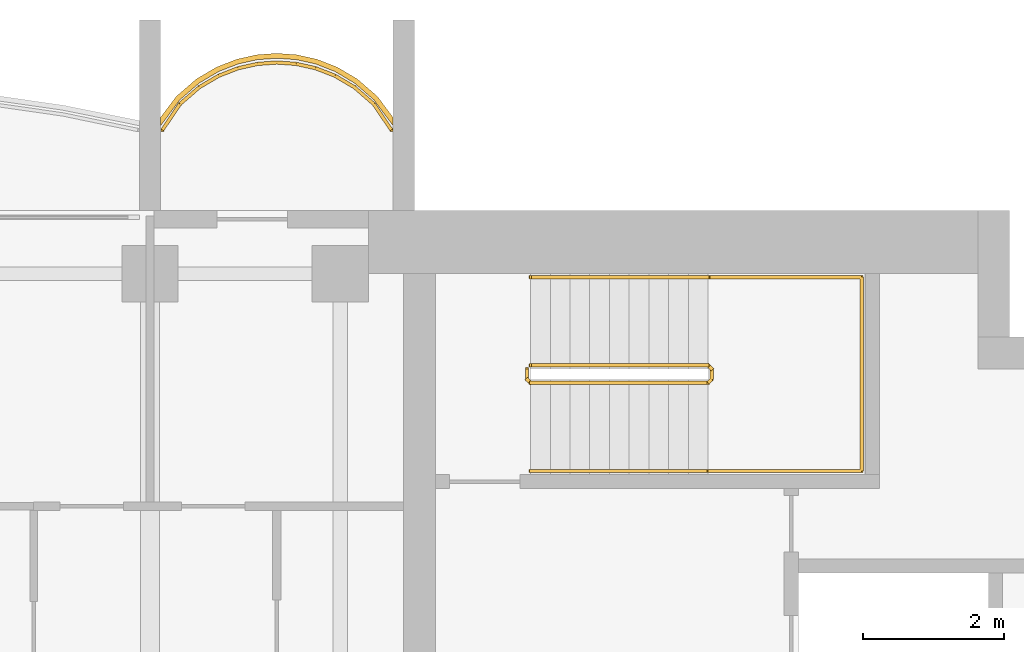
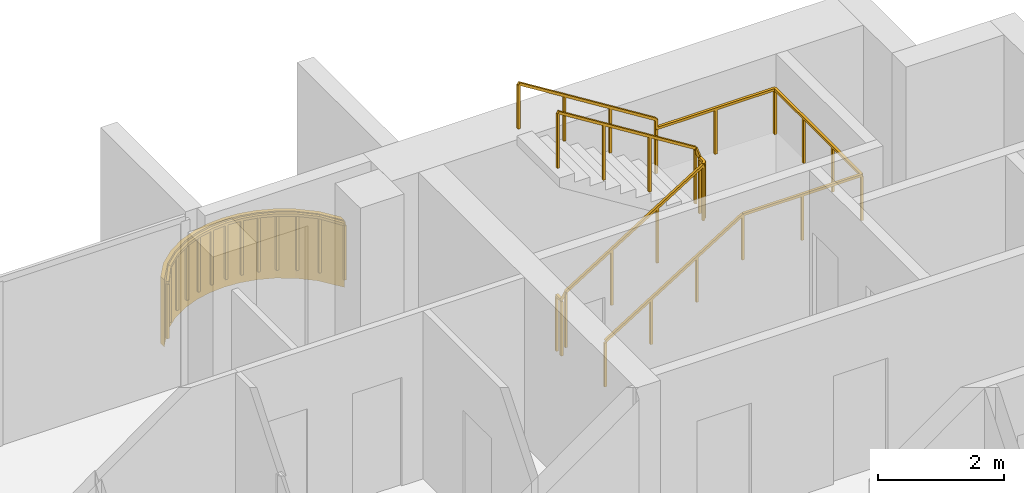
# One storey, part 16 of 16: 3 railings, 1 covering.
"""IFC4 building model written with IfcOpenShell, lengths in metres."""

from ifc_helpers import new_model, si_unit, direction, frame, origin, origin_2d, place, context, subcontext, project, spatial, polyline, rectangle, outline, extrude, material, layer, layer_set, type_object, element, save


model = new_model("IFC4")

# Units and contexts
model_context = context("Model", 3, precision=1e-05, world=origin(), true_north=direction((0.0, 1.0)))
body_context = subcontext(model_context, "Body", "Model", "MODEL_VIEW")
ifc_project = project(units=[si_unit("LENGTHUNIT", "METRE"), si_unit("AREAUNIT", "SQUARE_METRE"), si_unit("VOLUMEUNIT", "CUBIC_METRE"), si_unit("PLANEANGLEUNIT", "RADIAN"), si_unit("MASSUNIT", "GRAM", prefix="KILO")], contexts=[model_context])

# Site, building, storey
site_placement = place(None, origin())
site = spatial("IfcSite", under=ifc_project, at=site_placement, CompositionType="ELEMENT")
building_placement = place(site_placement, origin())
building = spatial("IfcBuilding", under=site, at=building_placement, Name="Perihelion Cross Residences", CompositionType="ELEMENT")
storey_placement = place(building_placement, frame((0.0, 0.0, 267.5)))
storey = spatial("IfcBuildingStorey", under=building, at=storey_placement, Name="L68", CompositionType="ELEMENT", Elevation=267.5)

# Covering
ifc_material_1 = material(Name="Bronze anodised aluminium", Category="aluminium")
ifc_layer = layer(ifc_material_1, 0.070068359375)
ifc_layer_set = layer_set([ifc_layer], Name="Balcony fascia 1300")
covering_type = type_object("IfcCoveringType", Name="Balcony fascia 1300", PredefinedType="CLADDING", material=ifc_layer_set)
covering_placement = place(storey_placement, frame((0.0, 0.0, -0.199951171875)))
element("IfcCovering", 1, at=covering_placement, inside=storey, type_object=covering_type, Name="Fascia BF1 L68 east side north bay 1", PredefinedType="CLADDING", context=body_context, shape_type="SweptSolid", body=[
    extrude(outline(polyline([(21.226318359375, 10.616455078125), (20.94091796875, 10.86328125), (20.655517578125, 11.031494140625), (20.370361328125, 11.142578125), (20.085205078125, 11.206298828125), (19.800048828125, 11.22705078125), (19.514892578125, 11.206298828125), (19.229736328125, 11.142578125), (18.9443359375, 11.031494140625), (18.6591796875, 10.86328125), (18.373779296875, 10.616455078125), (18.14990234375, 10.31689453125), (18.14990234375, 10.199951171875), (18.425048828125, 10.568603515625), (18.699951171875, 10.806396484375), (18.97509765625, 10.96875), (19.25, 11.07568359375), (19.52490234375, 11.136962890625), (19.800048828125, 11.156982421875), (20.074951171875, 11.136962890625), (20.35009765625, 11.07568359375), (20.625, 10.96875), (20.89990234375, 10.806396484375), (21.175048828125, 10.568603515625), (21.449951171875, 10.199951171875), (21.449951171875, 10.31689453125), (21.226318359375, 10.616455078125)])), origin(), (0.0, 0.0, 1.0), 1.300048828125),
])

# Railings
ifc_material_2 = material(Name="Bronze anodised aluminium", Category="aluminium")
railing_type_1 = type_object("IfcRailingType", Name="Balcony guard 1100", PredefinedType="GUARDRAIL", material=ifc_material_2)
railing_1_placement = place(storey_placement, frame((21.425048828125, 10.139892578125, 0.0)))
element("IfcRailing", 2, at=railing_1_placement, inside=storey, type_object=railing_type_1, Name="Guard GU1 L68 east side north bay 1 balcony", PredefinedType="GUARDRAIL", context=body_context, shape_type="SweptSolid", body=[
    extrude(rectangle(XDim=0.048095703125, YDim=0.048095703125, at=origin_2d()), frame((0.0, 0.0, 1.076171875), z_axis=(-0.561260132269, 0.827639452857, 0.0), x_axis=(-0.827639452857, -0.561260132269, 0.0)), (0.0, 0.0, 1.0), 0.4453125),
    extrude(rectangle(XDim=0.048095703125, YDim=0.048095703125, at=origin_2d()), frame((-0.25, 0.36865234375, 1.076171875), z_axis=(-0.756596535164, 0.653882009982, 0.0), x_axis=(-0.653882009982, -0.756596535164, 0.0)), (0.0, 0.0, 1.0), 0.36376953125),
    extrude(rectangle(XDim=0.048095703125, YDim=0.048095703125, at=origin_2d()), frame((-0.525146484375, 0.6064453125, 1.076171875), z_axis=(-0.861048292884, 0.508523192511, 0.0), x_axis=(-0.508523192511, -0.861048292884, 0.0)), (0.0, 0.0, 1.0), 0.3193359375),
    extrude(rectangle(XDim=0.048095703125, YDim=0.048095703125, at=origin_2d()), frame((-0.800048828125, 0.768798828125, 1.076171875), z_axis=(-0.931973602183, 0.362526143656, 0.0), x_axis=(-0.362526143656, -0.931973602183, 0.0)), (0.0, 0.0, 1.0), 0.294921875),
    extrude(rectangle(XDim=0.048095703125, YDim=0.048095703125, at=origin_2d()), frame((-1.074951171875, 0.875732421875, 1.076171875), z_axis=(-0.976085059389, 0.21738895289, 0.0), x_axis=(-0.21738895289, -0.976085059389, 0.0)), (0.0, 0.0, 1.0), 0.281982421875),
    extrude(rectangle(XDim=0.048095703125, YDim=0.048095703125, at=origin_2d()), frame((-1.35009765625, 0.93701171875, 1.076171875), z_axis=(-0.997358821833, 0.072631814734, 0.0), x_axis=(-0.072631814734, -0.997358821833, 0.0)), (0.0, 0.0, 1.0), 0.275634765625),
    extrude(rectangle(XDim=0.048095703125, YDim=0.048095703125, at=origin_2d()), frame((-1.625, 0.95703125, 1.076171875), z_axis=(-0.997363488337, -0.072567707226, 0.0), x_axis=(0.072567707226, -0.997363488337, 0.0)), (0.0, 0.0, 1.0), 0.27587890625),
    extrude(rectangle(XDim=0.048095703125, YDim=0.048095703125, at=origin_2d()), frame((-1.900146484375, 0.93701171875, 1.076171875), z_axis=(-0.976044077717, -0.217572880557, 0.0), x_axis=(0.217572880557, -0.976044077717, 0.0)), (0.0, 0.0, 1.0), 0.28173828125),
    extrude(rectangle(XDim=0.048095703125, YDim=0.048095703125, at=origin_2d()), frame((-2.175048828125, 0.875732421875, 1.076171875), z_axis=(-0.931973602183, -0.362526143656, 0.0), x_axis=(0.362526143656, -0.931973602183, 0.0)), (0.0, 0.0, 1.0), 0.294921875),
    extrude(rectangle(XDim=0.048095703125, YDim=0.048095703125, at=origin_2d()), frame((-2.449951171875, 0.768798828125, 1.076171875), z_axis=(-0.861245845072, -0.508188542123, 0.0), x_axis=(0.508188542123, -0.861245845072, 0.0)), (0.0, 0.0, 1.0), 0.319580078125),
    extrude(rectangle(XDim=0.048095703125, YDim=0.048095703125, at=origin_2d()), frame((-2.72509765625, 0.6064453125, 1.076171875), z_axis=(-0.756309278473, -0.654214242658, 0.0), x_axis=(0.654214242658, -0.756309278473, 0.0)), (0.0, 0.0, 1.0), 0.363525390625),
    extrude(rectangle(XDim=0.048095703125, YDim=0.048095703125, at=origin_2d()), frame((-3.0, 0.36865234375, 1.076171875), z_axis=(-0.561260132269, -0.827639452857, 0.0), x_axis=(0.827639452857, -0.561260132269, 0.0)), (0.0, 0.0, 1.0), 0.4453125),
    extrude(rectangle(XDim=0.0419921875, YDim=0.0419921875, at=origin_2d()), origin(), (0.0, 0.0, 1.0), 1.052001953125),
    extrude(rectangle(XDim=0.0419921875, YDim=0.0419921875, at=origin_2d()), frame((-0.25, 0.36865234375, 0.0)), (0.0, 0.0, 1.0), 1.052001953125),
    extrude(rectangle(XDim=0.0419921875, YDim=0.0419921875, at=origin_2d()), frame((-0.525146484375, 0.6064453125, 0.0)), (0.0, 0.0, 1.0), 1.052001953125),
    extrude(rectangle(XDim=0.0419921875, YDim=0.0419921875, at=origin_2d()), frame((-0.800048828125, 0.768798828125, 0.0)), (0.0, 0.0, 1.0), 1.052001953125),
    extrude(rectangle(XDim=0.0419921875, YDim=0.0419921875, at=origin_2d()), frame((-1.074951171875, 0.875732421875, 0.0)), (0.0, 0.0, 1.0), 1.052001953125),
    extrude(rectangle(XDim=0.0419921875, YDim=0.0419921875, at=origin_2d()), frame((-1.35009765625, 0.93701171875, 0.0)), (0.0, 0.0, 1.0), 1.052001953125),
    extrude(rectangle(XDim=0.0419921875, YDim=0.0419921875, at=origin_2d()), frame((-1.625, 0.95703125, 0.0)), (0.0, 0.0, 1.0), 1.052001953125),
    extrude(rectangle(XDim=0.0419921875, YDim=0.0419921875, at=origin_2d()), frame((-1.900146484375, 0.93701171875, 0.0)), (0.0, 0.0, 1.0), 1.052001953125),
    extrude(rectangle(XDim=0.0419921875, YDim=0.0419921875, at=origin_2d()), frame((-2.175048828125, 0.875732421875, 0.0)), (0.0, 0.0, 1.0), 1.052001953125),
    extrude(rectangle(XDim=0.0419921875, YDim=0.0419921875, at=origin_2d()), frame((-2.449951171875, 0.768798828125, 0.0)), (0.0, 0.0, 1.0), 1.052001953125),
    extrude(rectangle(XDim=0.0419921875, YDim=0.0419921875, at=origin_2d()), frame((-2.72509765625, 0.6064453125, 0.0)), (0.0, 0.0, 1.0), 1.052001953125),
    extrude(rectangle(XDim=0.0419921875, YDim=0.0419921875, at=origin_2d()), frame((-3.0, 0.36865234375, 0.0)), (0.0, 0.0, 1.0), 1.052001953125),
    extrude(rectangle(XDim=0.0419921875, YDim=0.0419921875, at=origin_2d()), frame((-3.25, 0.0, 0.0)), (0.0, 0.0, 1.0), 1.052001953125),
])
ifc_material_3 = material(Name="Stainless steel", Category="steel")
railing_type_2 = type_object("IfcRailingType", Name="Stair guard 1100", PredefinedType="GUARDRAIL", material=ifc_material_3)
railing_2_placement = place(storey_placement, frame((23.35009765625, 6.75, 0.0)))
element("IfcRailing", 3, at=railing_2_placement, inside=storey, type_object=railing_type_2, Name="L68 ST-E1 stair guard 1", PredefinedType="GUARDRAIL", context=body_context, shape_type="SweptSolid", body=[
    extrude(rectangle(XDim=0.048095703125, YDim=0.048095703125, at=origin_2d()), frame((0.0, 0.0, 1.076171875), z_axis=(0.0, -1.0, 0.0), x_axis=(1.0, 0.0, 0.0)), (0.0, 0.0, 1.0), 0.14990234375),
    extrude(rectangle(XDim=0.048095703125, YDim=0.048095703125, at=origin_2d()), frame((0.0, -0.14990234375, 1.076171875), z_axis=(0.263862480399, -0.265155923931, 0.927399011991), x_axis=(0.708833529934, 0.705375805398, 0.0)), (0.0, 0.0, 1.0), 0.188720703125),
    extrude(rectangle(XDim=0.048095703125, YDim=0.048095703125, at=origin_2d()), frame((0.0498046875, -0.199951171875, 1.2509765625), z_axis=(0.848007534815, 0.0, 0.529984170421), x_axis=(0.0, 1.0, 0.0)), (0.0, 0.0, 1.0), 2.9716796875),
    extrude(rectangle(XDim=0.048095703125, YDim=0.048095703125, at=origin_2d()), frame((2.56982421875, -0.199951171875, 2.826171875), z_axis=(0.707106781187, 0.707106781187, 0.0), x_axis=(-0.707106781187, 0.707106781187, 0.0)), (0.0, 0.0, 1.0), 0.07080078125),
    extrude(rectangle(XDim=0.048095703125, YDim=0.048095703125, at=origin_2d()), frame((2.619873046875, -0.14990234375, 2.826171875), z_axis=(0.0, 1.0, 0.0), x_axis=(-1.0, 0.0, 0.0)), (0.0, 0.0, 1.0), 0.14990234375),
    extrude(rectangle(XDim=0.048095703125, YDim=0.048095703125, at=origin_2d()), frame((2.619873046875, 0.0, 2.826171875), z_axis=(-0.265065253269, 0.265065253269, 0.927081885822), x_axis=(-0.707106781187, -0.707106781187, 0.0)), (0.0, 0.0, 1.0), 0.188720703125),
    extrude(rectangle(XDim=0.048095703125, YDim=0.048095703125, at=origin_2d()), frame((2.56982421875, 0.050048828125, 3.0009765625), z_axis=(-0.848007534815, 0.0, 0.529984170421), x_axis=(0.0, -1.0, 0.0)), (0.0, 0.0, 1.0), 2.9716796875),
    extrude(rectangle(XDim=0.0419921875, YDim=0.0419921875, at=origin_2d()), origin(), (0.0, 0.0, 1.0), 1.052001953125),
    extrude(rectangle(XDim=0.0419921875, YDim=0.0419921875, at=origin_2d()), frame((0.0, -0.14990234375, 0.0)), (0.0, 0.0, 1.0), 1.052001953125),
    extrude(rectangle(XDim=0.0419921875, YDim=0.0419921875, at=origin_2d()), frame((0.0498046875, -0.199951171875, 0.175048828125)), (0.0, 0.0, 1.0), 1.052001953125),
    extrude(rectangle(XDim=0.0419921875, YDim=0.0419921875, at=origin_2d()), frame((0.889892578125, -0.199951171875, 0.699951171875)), (0.0, 0.0, 1.0), 1.052001953125),
    extrude(rectangle(XDim=0.0419921875, YDim=0.0419921875, at=origin_2d()), frame((1.729736328125, -0.199951171875, 1.22509765625)), (0.0, 0.0, 1.0), 1.052001953125),
    extrude(rectangle(XDim=0.0419921875, YDim=0.0419921875, at=origin_2d()), frame((2.56982421875, -0.199951171875, 1.75)), (0.0, 0.0, 1.0), 1.052001953125),
    extrude(rectangle(XDim=0.0419921875, YDim=0.0419921875, at=origin_2d()), frame((2.619873046875, -0.14990234375, 1.75)), (0.0, 0.0, 1.0), 1.052001953125),
    extrude(rectangle(XDim=0.0419921875, YDim=0.0419921875, at=origin_2d()), frame((2.619873046875, 0.0, 1.75)), (0.0, 0.0, 1.0), 1.052001953125),
    extrude(rectangle(XDim=0.0419921875, YDim=0.0419921875, at=origin_2d()), frame((2.56982421875, 0.050048828125, 1.925048828125)), (0.0, 0.0, 1.0), 1.052001953125),
    extrude(rectangle(XDim=0.0419921875, YDim=0.0419921875, at=origin_2d()), frame((1.729736328125, 0.050048828125, 2.449951171875)), (0.0, 0.0, 1.0), 1.052001953125),
    extrude(rectangle(XDim=0.0419921875, YDim=0.0419921875, at=origin_2d()), frame((0.889892578125, 0.050048828125, 2.97509765625)), (0.0, 0.0, 1.0), 1.052001953125),
    extrude(rectangle(XDim=0.0419921875, YDim=0.0419921875, at=origin_2d()), frame((0.0498046875, 0.050048828125, 3.5)), (0.0, 0.0, 1.0), 1.052001953125),
])
ifc_material_4 = material(Name="Stainless steel", Category="steel")
railing_type_3 = type_object("IfcRailingType", Name="Stair handrail 900", PredefinedType="HANDRAIL", material=ifc_material_4)
railing_3_placement = place(storey_placement, frame((23.39990234375, 5.300048828125, 0.175048828125)))
element("IfcRailing", 4, at=railing_3_placement, inside=storey, type_object=railing_type_3, Name="L68 ST-E1 stair handrail 1", PredefinedType="HANDRAIL", context=body_context, shape_type="SweptSolid", body=[
    extrude(rectangle(XDim=0.048095703125, YDim=0.048095703125, at=origin_2d()), frame((0.0, 0.0, 0.8759765625), z_axis=(0.848007534815, 0.0, 0.529984170421), x_axis=(0.0, 1.0, 0.0)), (0.0, 0.0, 1.0), 2.9716796875),
    extrude(rectangle(XDim=0.048095703125, YDim=0.048095703125, at=origin_2d()), frame((2.52001953125, 0.0, 2.45068359375), z_axis=(1.0, 0.0, 0.0), x_axis=(0.0, 1.0, 0.0)), (0.0, 0.0, 1.0), 2.18017578125),
    extrude(rectangle(XDim=0.048095703125, YDim=0.048095703125, at=origin_2d()), frame((4.7001953125, 0.0, 2.45068359375), z_axis=(0.0, 1.0, 0.0), x_axis=(-1.0, 0.0, 0.0)), (0.0, 0.0, 1.0), 2.75),
    extrude(rectangle(XDim=0.048095703125, YDim=0.048095703125, at=origin_2d()), frame((4.7001953125, 2.75, 2.45068359375), z_axis=(-1.0, 0.0, 0.0), x_axis=(0.0, -1.0, 0.0)), (0.0, 0.0, 1.0), 2.18017578125),
    extrude(rectangle(XDim=0.048095703125, YDim=0.048095703125, at=origin_2d()), frame((2.52001953125, 2.75, 2.45068359375), z_axis=(0.0, 0.0, 1.0), x_axis=(1.0, 0.0, 0.0)), (0.0, 0.0, 1.0), 0.175048828125),
    extrude(rectangle(XDim=0.048095703125, YDim=0.048095703125, at=origin_2d()), frame((2.52001953125, 2.75, 2.6259765625), z_axis=(-0.848007534815, 0.0, 0.529984170421), x_axis=(0.0, -1.0, 0.0)), (0.0, 0.0, 1.0), 2.9716796875),
    extrude(rectangle(XDim=0.0419921875, YDim=0.0419921875, at=origin_2d()), origin(), (0.0, 0.0, 1.0), 0.851806640625),
    extrude(rectangle(XDim=0.0419921875, YDim=0.0419921875, at=origin_2d()), frame((0.840087890625, 0.0, 0.52490234375)), (0.0, 0.0, 1.0), 0.851806640625),
    extrude(rectangle(XDim=0.0419921875, YDim=0.0419921875, at=origin_2d()), frame((1.679931640625, 0.0, 1.050048828125)), (0.0, 0.0, 1.0), 0.851806640625),
    extrude(rectangle(XDim=0.0419921875, YDim=0.0419921875, at=origin_2d()), frame((2.52001953125, 0.0, 1.574951171875)), (0.0, 0.0, 1.0), 0.851806640625),
    extrude(rectangle(XDim=0.0419921875, YDim=0.0419921875, at=origin_2d()), frame((3.610107421875, 0.0, 1.574951171875)), (0.0, 0.0, 1.0), 0.851806640625),
    extrude(rectangle(XDim=0.0419921875, YDim=0.0419921875, at=origin_2d()), frame((4.7001953125, 0.0, 1.574951171875)), (0.0, 0.0, 1.0), 0.851806640625),
    extrude(rectangle(XDim=0.0419921875, YDim=0.0419921875, at=origin_2d()), frame((4.7001953125, 0.916748046875, 1.574951171875)), (0.0, 0.0, 1.0), 0.851806640625),
    extrude(rectangle(XDim=0.0419921875, YDim=0.0419921875, at=origin_2d()), frame((4.7001953125, 1.833251953125, 1.574951171875)), (0.0, 0.0, 1.0), 0.851806640625),
    extrude(rectangle(XDim=0.0419921875, YDim=0.0419921875, at=origin_2d()), frame((4.7001953125, 2.75, 1.574951171875)), (0.0, 0.0, 1.0), 0.851806640625),
    extrude(rectangle(XDim=0.0419921875, YDim=0.0419921875, at=origin_2d()), frame((3.610107421875, 2.75, 1.574951171875)), (0.0, 0.0, 1.0), 0.851806640625),
    extrude(rectangle(XDim=0.0419921875, YDim=0.0419921875, at=origin_2d()), frame((2.52001953125, 2.75, 1.574951171875)), (0.0, 0.0, 1.0), 0.851806640625),
    extrude(rectangle(XDim=0.0419921875, YDim=0.0419921875, at=origin_2d()), frame((2.52001953125, 2.75, 1.75)), (0.0, 0.0, 1.0), 0.851806640625),
    extrude(rectangle(XDim=0.0419921875, YDim=0.0419921875, at=origin_2d()), frame((1.679931640625, 2.75, 2.27490234375)), (0.0, 0.0, 1.0), 0.851806640625),
    extrude(rectangle(XDim=0.0419921875, YDim=0.0419921875, at=origin_2d()), frame((0.840087890625, 2.75, 2.800048828125)), (0.0, 0.0, 1.0), 0.851806640625),
    extrude(rectangle(XDim=0.0419921875, YDim=0.0419921875, at=origin_2d()), frame((0.0, 2.75, 3.324951171875)), (0.0, 0.0, 1.0), 0.851806640625),
])

save(model, "model.ifc")
